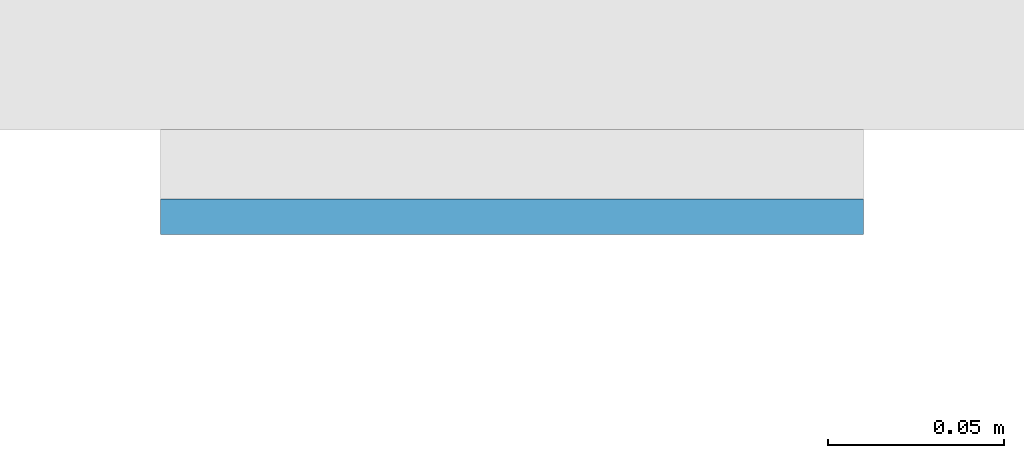
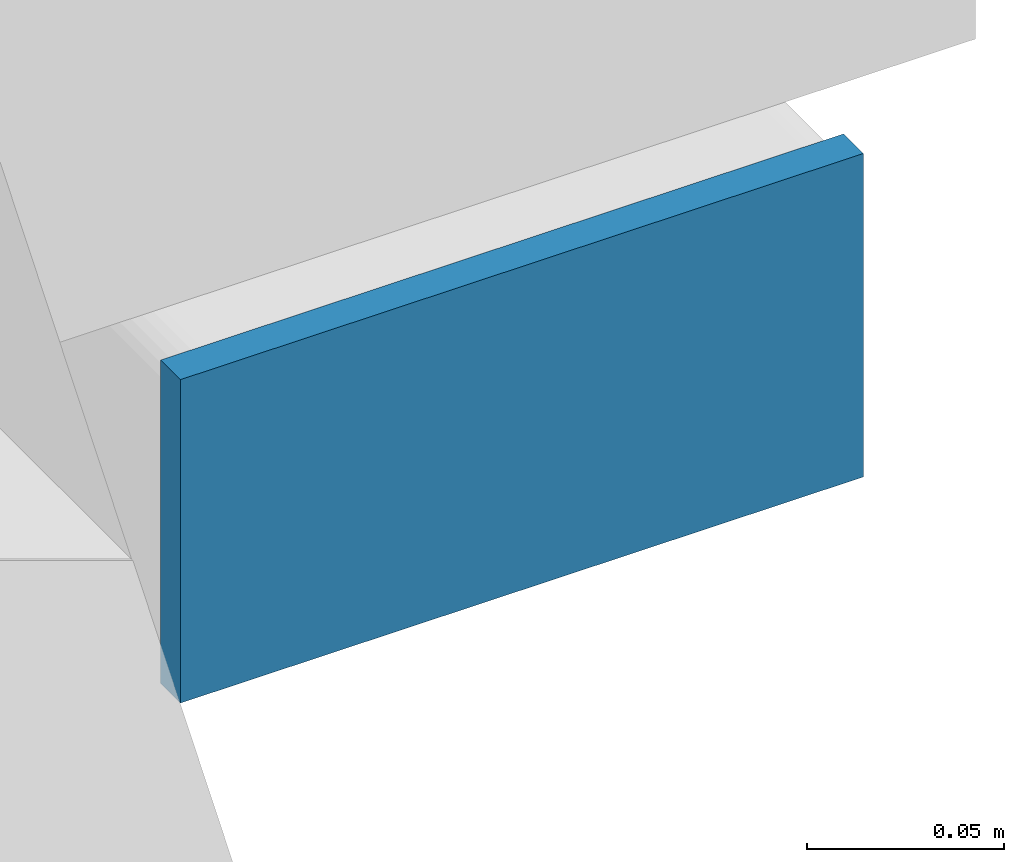
# One storey, part 10 of 20: 1 plate.
"""IFC4 building model written with IfcOpenShell, lengths in metres."""

from ifc_helpers import new_model, si_unit, direction, frame, origin, origin_2d, place, context, subcontext, project, spatial, rectangle, extrude, material, layer, layer_set, type_object, element, save


model = new_model("IFC4")

# Units and contexts
model_context = context("Model", 3, precision=1e-05, world=origin(), true_north=direction((0.0, 1.0)))
body_context = subcontext(model_context, "Body", "Model", "MODEL_VIEW")
ifc_project = project(units=[si_unit("LENGTHUNIT", "METRE"), si_unit("AREAUNIT", "SQUARE_METRE"), si_unit("VOLUMEUNIT", "CUBIC_METRE"), si_unit("PLANEANGLEUNIT", "RADIAN"), si_unit("MASSUNIT", "GRAM", prefix="KILO")], contexts=[model_context])

# Site, building, storey
site_placement = place(None, origin())
site = spatial("IfcSite", under=ifc_project, at=site_placement, CompositionType="ELEMENT")
building_placement = place(site_placement, origin())
building = spatial("IfcBuilding", under=site, at=building_placement, Name="Cleftline Residences", CompositionType="ELEMENT")
storey_placement = place(building_placement, frame((0.0, 0.0, 139.39990234375)))
storey = spatial("IfcBuildingStorey", under=building, at=storey_placement, Name="L36", CompositionType="ELEMENT", Elevation=139.39990234375)

# Plate
ifc_material = material(Name="Steel S355, hot-dip galvanised", Category="steel")
ifc_layer = layer(ifc_material, 0.010009765625)
ifc_layer_set = layer_set([ifc_layer], Name="BAGUETTE CARRIER END PLATE 200X100X10")
plate_type = type_object("IfcPlateType", Name="BAGUETTE CARRIER END PLATE 200X100X10", PredefinedType="USERDEFINED", material=ifc_layer_set)
plate_placement = place(storey_placement, frame((66.85009765625, 3.695068359375, -0.099853515625), z_axis=(0.0, 0.0, 1.0), x_axis=(1.0, 0.0, 0.0)))
element("IfcPlate", 1, at=plate_placement, inside=storey, type_object=plate_type, Name="Baguette carrier end plate", ObjectType="BAGUETTE CARRIER END PLATE", PredefinedType="USERDEFINED", context=body_context, shape_type="SweptSolid", body=[
    extrude(rectangle(XDim=0.199951171875, YDim=0.010009765625, at=origin_2d()), origin(), (0.0, 0.0, 1.0), 0.10009765625),
])

save(model, "model.ifc")
